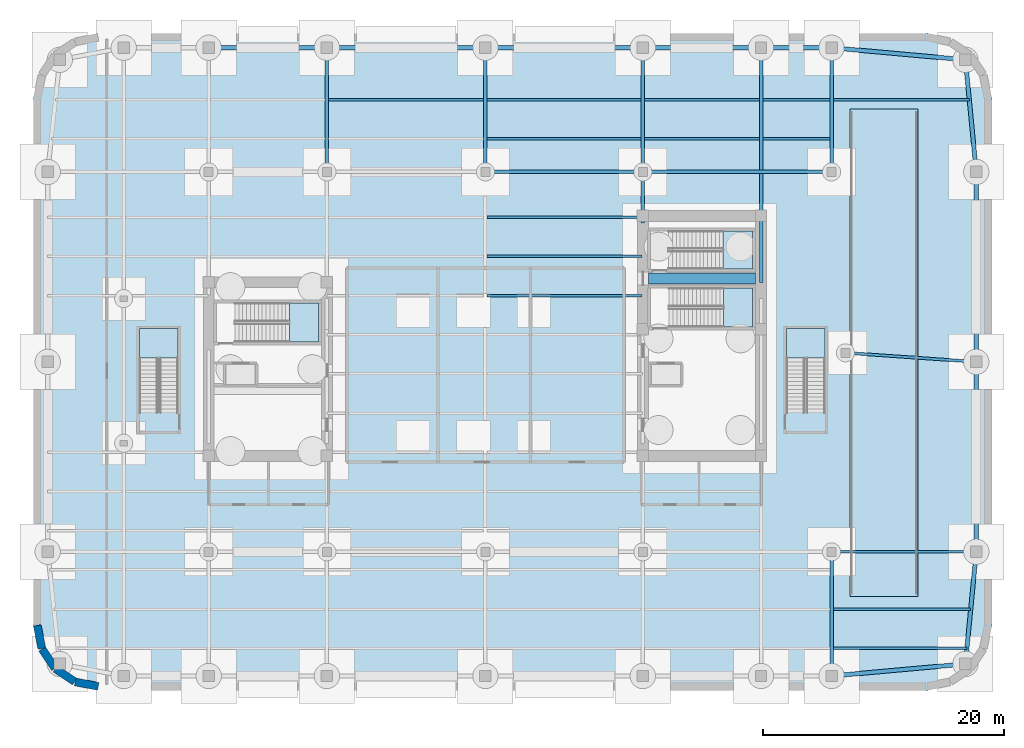
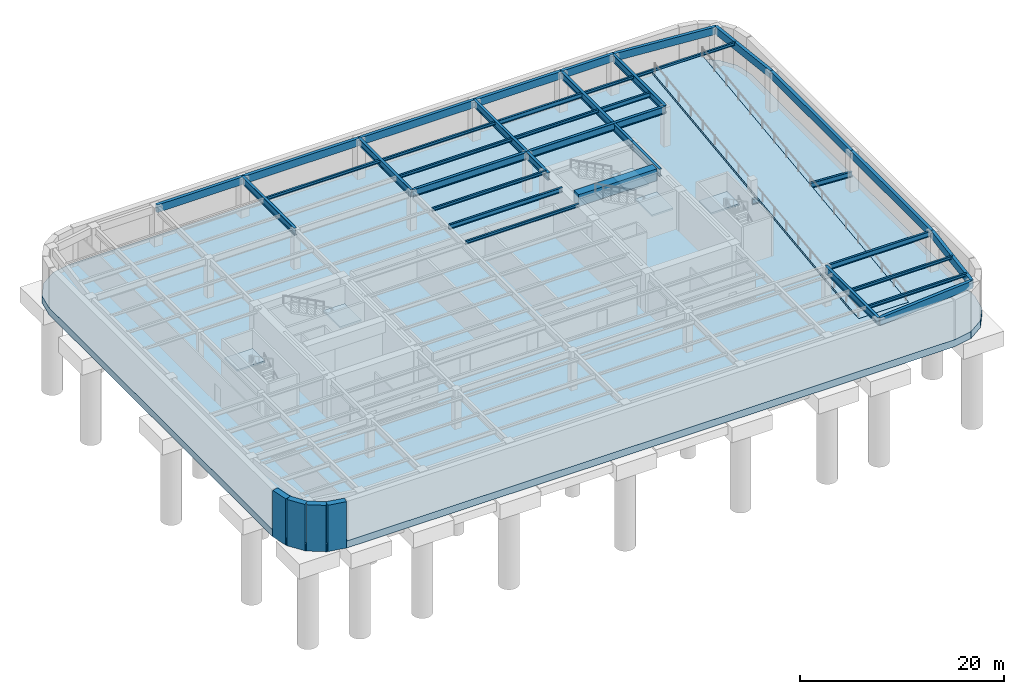
# One storey, part 4 of 14: 38 beams, 7 slabs, 4 walls, 5 elements without a shape of their own.
"""IFC4 building model written with IfcOpenShell, lengths in metres."""

from ifc_helpers import new_model, si_unit, direction, frame, frame_2d, origin, origin_2d, place, context, subcontext, project, spatial, polyline, rectangle, hollow_rectangle, i_section, outline, extrude, material, layer, layer_set, material_profile, profile_set, type_object, element, aggregate, save


model = new_model("IFC4")

# Units and contexts
model_context = context("Model", 3, precision=1e-05, world=origin(), true_north=direction((0.0, 1.0)))
body_context = subcontext(model_context, "Body", "Model", "MODEL_VIEW")
ifc_project = project(units=[si_unit("LENGTHUNIT", "METRE"), si_unit("AREAUNIT", "SQUARE_METRE"), si_unit("VOLUMEUNIT", "CUBIC_METRE"), si_unit("PLANEANGLEUNIT", "RADIAN"), si_unit("MASSUNIT", "GRAM", prefix="KILO")], contexts=[model_context])

# Site, building, storey
site_placement = place(None, origin())
site = spatial("IfcSite", under=ifc_project, at=site_placement, CompositionType="ELEMENT")
building_placement = place(site_placement, origin())
building = spatial("IfcBuilding", under=site, at=building_placement, Name="Kolvaren Arena Tower", CompositionType="ELEMENT")
storey_placement = place(building_placement, frame((0.0, 0.0, -10.0)))
storey = spatial("IfcBuildingStorey", under=building, at=storey_placement, Name="B02", CompositionType="ELEMENT", Elevation=-10.0)

# Beams
ifc_material_1 = material(Name="Steel CSA G40.21 350W", Category="steel")
ifc_material_profile_1 = material_profile(ifc_material_1, i_section(OverallWidth=0.2119140625, OverallDepth=0.54296875, WebThickness=0.01318359375, FlangeThickness=0.0244140625, FilletRadius=0.013916015625, at=origin_2d()), Name="W530x150")
ifc_profile_set_1 = profile_set([ifc_material_profile_1], Name="Steel CSA G40.21 350W")
beam_type_1 = type_object("IfcBeamType", Name="BEAM-F1", PredefinedType="BEAM", material=ifc_profile_set_1)
beam_1_placement = place(storey_placement, frame((37.64599609375, 36.0, 4.41845703125), z_axis=(1.0, 0.0, 0.0), x_axis=(0.0, 1.0, 0.0)))
element("IfcBeam", 1, at=beam_1_placement, inside=storey, type_object=beam_type_1, Name="Composite Floor Beam (B02)", PredefinedType="BEAM", context=body_context, shape_type="SweptSolid", body=[
    extrude(i_section(OverallWidth=0.2119140625, OverallDepth=0.54296875, WebThickness=0.01318359375, FlangeThickness=0.0244140625, FilletRadius=0.013916015625, at=origin_2d()), origin(), (0.0, 0.0, 1.0), 12.833984375),
])
beam_2_placement = place(storey_placement, frame((60.49609375, 45.75, 4.41845703125), z_axis=(1.0, 0.0, 0.0), x_axis=(0.0, 1.0, 0.0)))
element("IfcBeam", 2, at=beam_2_placement, inside=storey, type_object=beam_type_1, Name="Composite Floor Beam (B02)", PredefinedType="BEAM", context=body_context, shape_type="SweptSolid", body=[
    extrude(i_section(OverallWidth=0.2119140625, OverallDepth=0.54296875, WebThickness=0.01318359375, FlangeThickness=0.0244140625, FilletRadius=0.013916015625, at=origin_2d()), origin(), (0.0, 0.0, 1.0), 5.557861328125),
])
beam_3_placement = place(storey_placement, frame((50.696044921875, 49.0, 4.41845703125), z_axis=(1.0, 0.0, 0.0), x_axis=(0.0, 1.0, 0.0)))
element("IfcBeam", 3, at=beam_3_placement, inside=storey, type_object=beam_type_1, Name="Composite Floor Beam (B02)", PredefinedType="BEAM", context=body_context, shape_type="SweptSolid", body=[
    extrude(i_section(OverallWidth=0.2119140625, OverallDepth=0.54296875, WebThickness=0.01318359375, FlangeThickness=0.0244140625, FilletRadius=0.013916015625, at=origin_2d()), origin(), (0.0, 0.0, 1.0), 9.508056640625),
])
ifc_material_2 = material(Name="Concrete 75 MPa", Category="concrete")
ifc_material_profile_2 = material_profile(ifc_material_2, rectangle(XDim=0.89990234375, YDim=1.39990234375, at=origin_2d()), Name="RC-900x1400")
ifc_profile_set_2 = profile_set([ifc_material_profile_2], Name="Concrete 75 MPa")
beam_type_2 = type_object("IfcBeamType", Name="CB-CORE-1", PredefinedType="BEAM", material=ifc_profile_set_2)
beam_4_placement = place(storey_placement, frame((51.0, 34.14990234375, 4.260009765625), z_axis=(1.0, 0.0, 0.0), x_axis=(0.0, 1.0, 0.0)))
element("IfcBeam", 4, at=beam_4_placement, inside=storey, type_object=beam_type_2, Name="East Core Coupling Beam (B02)", PredefinedType="BEAM", context=body_context, shape_type="SweptSolid", body=[
    extrude(rectangle(XDim=0.89990234375, YDim=1.39990234375, at=origin_2d()), origin(), (0.0, 0.0, 1.0), 8.89990234375),
])
ifc_material_profile_3 = material_profile(ifc_material_1, i_section(OverallWidth=0.2919921875, OverallDepth=0.85498046875, WebThickness=0.02099609375, FlangeThickness=0.03564453125, FilletRadius=0.01806640625, at=origin_2d()), Name="W840x299")
ifc_profile_set_3 = profile_set([ifc_material_profile_3], Name="Steel CSA G40.21 350W")
beam_type_3 = type_object("IfcBeamType", Name="GIRD-P1", PredefinedType="BEAM", material=ifc_profile_set_3)
beam_5_placement = place(storey_placement, frame((37.5, 43.0, 4.262451171875), z_axis=(1.0, 0.0, 0.0), x_axis=(0.0, 1.0, 0.0)))
element("IfcBeam", 5, at=beam_5_placement, inside=storey, type_object=beam_type_3, Name="Primary Floor Girder (B02)", PredefinedType="BEAM", context=body_context, shape_type="SweptSolid", body=[
    extrude(i_section(OverallWidth=0.2919921875, OverallDepth=0.85498046875, WebThickness=0.02099609375, FlangeThickness=0.03564453125, FilletRadius=0.01806640625, at=origin_2d()), origin(), (0.0, 0.0, 1.0), 13.050048828125),
])
beam_6_placement = place(storey_placement, frame((50.550048828125, 43.0, 4.262451171875), z_axis=(1.0, 0.0, 0.0), x_axis=(0.0, 1.0, 0.0)))
element("IfcBeam", 6, at=beam_6_placement, inside=storey, type_object=beam_type_3, Name="Primary Floor Girder (B02)", PredefinedType="BEAM", context=body_context, shape_type="SweptSolid", body=[
    extrude(i_section(OverallWidth=0.2919921875, OverallDepth=0.85498046875, WebThickness=0.02099609375, FlangeThickness=0.03564453125, FilletRadius=0.01806640625, at=origin_2d()), origin(), (0.0, 0.0, 1.0), 15.64990234375),
])
for number, where, z_axis, x_axis, name in (
    (7, (24.35009765625, 43.0, 4.262451171875), (0.0, 1.0, 0.0), (-1.0, 0.0, 0.0), "Primary Floor Girder (B02)"),
    (8, (37.5, 43.0, 4.262451171875), (0.0, 1.0, 0.0), (-1.0, 0.0, 0.0), "Primary Floor Girder (B02)"),
):
    element("IfcBeam", number, at=place(storey_placement, frame(where, z_axis=z_axis, x_axis=x_axis)), inside=storey, type_object=beam_type_3, Name=name, PredefinedType="BEAM", context=body_context, shape_type="SweptSolid", body=[
        extrude(i_section(OverallWidth=0.2919921875, OverallDepth=0.85498046875, WebThickness=0.02099609375, FlangeThickness=0.03564453125, FilletRadius=0.01806640625, at=origin_2d()), origin(), (0.0, 0.0, 1.0), 10.300048828125),
    ])
beam_7_placement = place(storey_placement, frame((50.550048828125, 38.760009765625, 4.262451171875), z_axis=(0.0, 1.0, 0.0), x_axis=(-1.0, 0.0, 0.0)))
element("IfcBeam", 9, at=beam_7_placement, inside=storey, type_object=beam_type_3, Name="Primary Floor Girder (B02)", PredefinedType="BEAM", context=body_context, shape_type="SweptSolid", body=[
    extrude(i_section(OverallWidth=0.2919921875, OverallDepth=0.85498046875, WebThickness=0.02099609375, FlangeThickness=0.03564453125, FilletRadius=0.01806640625, at=origin_2d()), origin(), (0.0, 0.0, 1.0), 4.239990234375),
])
beam_8_placement = place(storey_placement, frame((50.550048828125, 43.0, 4.262451171875), z_axis=(0.0, 1.0, 0.0), x_axis=(-1.0, 0.0, 0.0)))
element("IfcBeam", 10, at=beam_8_placement, inside=storey, type_object=beam_type_3, Name="Primary Floor Girder (B02)", PredefinedType="BEAM", context=body_context, shape_type="SweptSolid", body=[
    extrude(i_section(OverallWidth=0.2919921875, OverallDepth=0.85498046875, WebThickness=0.02099609375, FlangeThickness=0.03564453125, FilletRadius=0.01806640625, at=origin_2d()), origin(), (0.0, 0.0, 1.0), 10.300048828125),
])
beam_9_placement = place(storey_placement, frame((60.35009765625, 33.85009765625, 4.262451171875), z_axis=(0.0, 1.0, 0.0), x_axis=(-1.0, 0.0, 0.0)))
element("IfcBeam", 11, at=beam_9_placement, inside=storey, type_object=beam_type_3, Name="Primary Floor Girder (B02)", PredefinedType="BEAM", context=body_context, shape_type="SweptSolid", body=[
    extrude(i_section(OverallWidth=0.2919921875, OverallDepth=0.85498046875, WebThickness=0.02099609375, FlangeThickness=0.03564453125, FilletRadius=0.01806640625, at=origin_2d()), origin(), (0.0, 0.0, 1.0), 5.5),
])
beam_10_placement = place(storey_placement, frame((60.35009765625, 39.35009765625, 4.262451171875), z_axis=(0.0, 1.0, 0.0), x_axis=(-1.0, 0.0, 0.0)))
element("IfcBeam", 12, at=beam_10_placement, inside=storey, type_object=beam_type_3, Name="Primary Floor Girder (B02)", PredefinedType="BEAM", context=body_context, shape_type="SweptSolid", body=[
    extrude(i_section(OverallWidth=0.2919921875, OverallDepth=0.85498046875, WebThickness=0.02099609375, FlangeThickness=0.03564453125, FilletRadius=0.01806640625, at=origin_2d()), origin(), (0.0, 0.0, 1.0), 3.50390625),
])
beam_11_placement = place(storey_placement, frame((60.35009765625, 43.14599609375, 4.262451171875), z_axis=(0.0, 1.0, 0.0), x_axis=(-1.0, 0.0, 0.0)))
element("IfcBeam", 13, at=beam_11_placement, inside=storey, type_object=beam_type_3, Name="Primary Floor Girder (B02)", PredefinedType="BEAM", context=body_context, shape_type="SweptSolid", body=[
    extrude(i_section(OverallWidth=0.2919921875, OverallDepth=0.85498046875, WebThickness=0.02099609375, FlangeThickness=0.03564453125, FilletRadius=0.01806640625, at=origin_2d()), origin(), (0.0, 0.0, 1.0), 10.154052734375),
])
for number, where, z_axis, x_axis, name in (
    (14, (66.199951171875, 1.199951171875, 4.262451171875), (0.0, 1.0, 0.0), (-1.0, 0.0, 0.0), "Primary Floor Girder (B02)"),
    (15, (66.199951171875, 43.0, 4.262451171875), (0.0, 1.0, 0.0), (-1.0, 0.0, 0.0), "Primary Floor Girder (B02)"),
):
    element("IfcBeam", number, at=place(storey_placement, frame(where, z_axis=z_axis, x_axis=x_axis)), inside=storey, type_object=beam_type_3, Name=name, PredefinedType="BEAM", context=body_context, shape_type="SweptSolid", body=[
        extrude(i_section(OverallWidth=0.2919921875, OverallDepth=0.85498046875, WebThickness=0.02099609375, FlangeThickness=0.03564453125, FilletRadius=0.01806640625, at=origin_2d()), origin(), (0.0, 0.0, 1.0), 10.300048828125),
    ])
ifc_material_profile_4 = material_profile(ifc_material_1, i_section(OverallWidth=0.22802734375, OverallDepth=0.615966796875, WebThickness=0.013916015625, FlangeThickness=0.02490234375, FilletRadius=0.014892578125, at=origin_2d()), Name="W610x174")
ifc_profile_set_4 = profile_set([ifc_material_profile_4], Name="Steel CSA G40.21 350W")
beam_type_4 = type_object("IfcBeamType", Name="GIRD-T3", PredefinedType="BEAM", material=ifc_profile_set_4)
beam_12_placement = place(storey_placement, frame((67.35009765625, 28.0, 1.882080078125), z_axis=(0.997619370654, -0.068960795361, 0.0), x_axis=(0.068960795361, 0.997619370654, 0.0)))
element("IfcBeam", 16, at=beam_12_placement, inside=storey, type_object=beam_type_4, Name="Vehicle Ramp Mid-Span Support Beam (B02)", PredefinedType="BEAM", context=body_context, shape_type="SweptSolid", body=[
    extrude(i_section(OverallWidth=0.22802734375, OverallDepth=0.615966796875, WebThickness=0.013916015625, FlangeThickness=0.02490234375, FilletRadius=0.014892578125, at=origin_2d()), origin(), (0.0, 0.0, 1.0), 10.875732421875),
])
beam_13_placement = place(storey_placement, frame((66.199951171875, 11.5, 4.376953125), z_axis=(1.0, 0.0, 0.0), x_axis=(0.0, 1.0, 0.0)))
element("IfcBeam", 17, at=beam_13_placement, inside=storey, type_object=beam_type_4, Name="Vehicle Ramp Landing Support Beam (B01)", PredefinedType="BEAM", context=body_context, shape_type="SweptSolid", body=[
    extrude(i_section(OverallWidth=0.22802734375, OverallDepth=0.615966796875, WebThickness=0.013916015625, FlangeThickness=0.02490234375, FilletRadius=0.014892578125, at=origin_2d()), origin(), (0.0, 0.0, 1.0), 12.0),
])
ifc_material_profile_5 = material_profile(ifc_material_1, i_section(OverallWidth=0.202880859375, OverallDepth=0.346923828125, WebThickness=0.0078125, FlangeThickness=0.013427734375, FilletRadius=0.010986328125, at=origin_2d()), Name="W360x64")
ifc_profile_set_5 = profile_set([ifc_material_profile_5], Name="Steel CSA G40.21 350W")
beam_type_5 = type_object("IfcBeamType", Name="JOIST-01", PredefinedType="JOIST", material=ifc_profile_set_5)
beam_14_placement = place(storey_placement, frame((66.345947265625, 3.5, 4.5166015625), z_axis=(1.0, 0.0, 0.0), x_axis=(0.0, 1.0, 0.0)))
element("IfcBeam", 18, at=beam_14_placement, inside=storey, type_object=beam_type_5, Name="Composite Floor Joist (B02)", PredefinedType="JOIST", context=body_context, shape_type="SweptSolid", body=[
    extrude(i_section(OverallWidth=0.202880859375, OverallDepth=0.346923828125, WebThickness=0.0078125, FlangeThickness=0.013427734375, FilletRadius=0.010986328125, at=origin_2d()), origin(), (0.0, 0.0, 1.0), 11.079833984375),
])
beam_15_placement = place(storey_placement, frame((66.345947265625, 6.75, 4.5166015625), z_axis=(1.0, 0.0, 0.0), x_axis=(0.0, 1.0, 0.0)))
element("IfcBeam", 19, at=beam_15_placement, inside=storey, type_object=beam_type_5, Name="Composite Floor Joist (B02)", PredefinedType="JOIST", context=body_context, shape_type="SweptSolid", body=[
    extrude(i_section(OverallWidth=0.202880859375, OverallDepth=0.346923828125, WebThickness=0.0078125, FlangeThickness=0.013427734375, FilletRadius=0.010986328125, at=origin_2d()), origin(), (0.0, 0.0, 1.0), 11.394287109375),
])
beam_16_placement = place(storey_placement, frame((37.64599609375, 32.75, 4.5166015625), z_axis=(1.0, 0.0, 0.0), x_axis=(0.0, 1.0, 0.0)))
element("IfcBeam", 20, at=beam_16_placement, inside=storey, type_object=beam_type_5, Name="Composite Floor Joist (B02)", PredefinedType="JOIST", context=body_context, shape_type="SweptSolid", body=[
    extrude(i_section(OverallWidth=0.202880859375, OverallDepth=0.346923828125, WebThickness=0.0078125, FlangeThickness=0.013427734375, FilletRadius=0.010986328125, at=origin_2d()), origin(), (0.0, 0.0, 1.0), 12.833984375),
])
beam_17_placement = place(storey_placement, frame((37.64599609375, 39.25, 4.5166015625), z_axis=(1.0, 0.0, 0.0), x_axis=(0.0, 1.0, 0.0)))
element("IfcBeam", 21, at=beam_17_placement, inside=storey, type_object=beam_type_5, Name="Composite Floor Joist (B02)", PredefinedType="JOIST", context=body_context, shape_type="SweptSolid", body=[
    extrude(i_section(OverallWidth=0.202880859375, OverallDepth=0.346923828125, WebThickness=0.0078125, FlangeThickness=0.013427734375, FilletRadius=0.010986328125, at=origin_2d()), origin(), (0.0, 0.0, 1.0), 12.884033203125),
])
beam_18_placement = place(storey_placement, frame((37.64599609375, 45.75, 4.5166015625), z_axis=(1.0, 0.0, 0.0), x_axis=(0.0, 1.0, 0.0)))
element("IfcBeam", 22, at=beam_18_placement, inside=storey, type_object=beam_type_5, Name="Composite Floor Joist (B02)", PredefinedType="JOIST", context=body_context, shape_type="SweptSolid", body=[
    extrude(i_section(OverallWidth=0.202880859375, OverallDepth=0.346923828125, WebThickness=0.0078125, FlangeThickness=0.013427734375, FilletRadius=0.010986328125, at=origin_2d()), origin(), (0.0, 0.0, 1.0), 12.758056640625),
])
beam_19_placement = place(storey_placement, frame((50.696044921875, 45.75, 4.5166015625), z_axis=(1.0, 0.0, 0.0), x_axis=(0.0, 1.0, 0.0)))
element("IfcBeam", 23, at=beam_19_placement, inside=storey, type_object=beam_type_5, Name="Composite Floor Joist (B02)", PredefinedType="JOIST", context=body_context, shape_type="SweptSolid", body=[
    extrude(i_section(OverallWidth=0.202880859375, OverallDepth=0.346923828125, WebThickness=0.0078125, FlangeThickness=0.013427734375, FilletRadius=0.010986328125, at=origin_2d()), origin(), (0.0, 0.0, 1.0), 9.508056640625),
])
beam_20_placement = place(storey_placement, frame((24.49609375, 49.0, 4.5166015625), z_axis=(1.0, 0.0, 0.0), x_axis=(0.0, 1.0, 0.0)))
element("IfcBeam", 24, at=beam_20_placement, inside=storey, type_object=beam_type_5, Name="Composite Floor Joist (B02)", PredefinedType="JOIST", context=body_context, shape_type="SweptSolid", body=[
    extrude(i_section(OverallWidth=0.202880859375, OverallDepth=0.346923828125, WebThickness=0.0078125, FlangeThickness=0.013427734375, FilletRadius=0.010986328125, at=origin_2d()), origin(), (0.0, 0.0, 1.0), 12.85791015625),
])
beam_21_placement = place(storey_placement, frame((37.64599609375, 49.0, 4.5166015625), z_axis=(1.0, 0.0, 0.0), x_axis=(0.0, 1.0, 0.0)))
element("IfcBeam", 25, at=beam_21_placement, inside=storey, type_object=beam_type_5, Name="Composite Floor Joist (B02)", PredefinedType="JOIST", context=body_context, shape_type="SweptSolid", body=[
    extrude(i_section(OverallWidth=0.202880859375, OverallDepth=0.346923828125, WebThickness=0.0078125, FlangeThickness=0.013427734375, FilletRadius=0.010986328125, at=origin_2d()), origin(), (0.0, 0.0, 1.0), 12.758056640625),
])
beam_22_placement = place(storey_placement, frame((60.49609375, 49.0, 4.5166015625), z_axis=(1.0, 0.0, 0.0), x_axis=(0.0, 1.0, 0.0)))
element("IfcBeam", 26, at=beam_22_placement, inside=storey, type_object=beam_type_5, Name="Composite Floor Joist (B02)", PredefinedType="JOIST", context=body_context, shape_type="SweptSolid", body=[
    extrude(i_section(OverallWidth=0.202880859375, OverallDepth=0.346923828125, WebThickness=0.0078125, FlangeThickness=0.013427734375, FilletRadius=0.010986328125, at=origin_2d()), origin(), (0.0, 0.0, 1.0), 5.557861328125),
])
beam_23_placement = place(storey_placement, frame((66.345947265625, 49.0, 4.5166015625), z_axis=(1.0, 0.0, 0.0), x_axis=(0.0, 1.0, 0.0)))
element("IfcBeam", 27, at=beam_23_placement, inside=storey, type_object=beam_type_5, Name="Composite Floor Joist (B02)", PredefinedType="JOIST", context=body_context, shape_type="SweptSolid", body=[
    extrude(i_section(OverallWidth=0.202880859375, OverallDepth=0.346923828125, WebThickness=0.0078125, FlangeThickness=0.013427734375, FilletRadius=0.010986328125, at=origin_2d()), origin(), (0.0, 0.0, 1.0), 11.2734375),
])
ifc_material_3 = material(Name="Steel CSA G40.21 350WT", Category="steel")
ifc_material_profile_6 = material_profile(ifc_material_3, hollow_rectangle(XDim=0.35009765625, YDim=0.89990234375, WallThickness=0.02001953125, at=origin_2d()), Name="HSS 900x350x20")
ifc_profile_set_6 = profile_set([ifc_material_profile_6], Name="Steel CSA G40.21 350WT")
beam_type_6 = type_object("IfcBeamType", Name="SPAND-01", PredefinedType="SPANDREL", material=ifc_profile_set_6)
beam_24_placement = place(storey_placement, frame((66.199951171875, 1.199951171875, 4.239990234375), z_axis=(0.995966494892, 0.089725921855, 0.0), x_axis=(-0.089725921855, 0.995966494892, 0.0)))
element("IfcBeam", 28, at=beam_24_placement, inside=storey, type_object=beam_type_6, Name="Perimeter Spandrel Beam (B02)", PredefinedType="SPANDREL", context=body_context, shape_type="SweptSolid", body=[
    extrude(hollow_rectangle(XDim=0.35009765625, YDim=0.89990234375, WallThickness=0.02001953125, at=origin_2d()), origin(), (0.0, 0.0, 1.0), 11.14501953125),
])
beam_25_placement = place(storey_placement, frame((77.300048828125, 2.199951171875, 4.239990234375), z_axis=(0.09631333899, 0.995351064064, 0.0), x_axis=(-0.995351064064, 0.09631333899, 0.0)))
element("IfcBeam", 29, at=beam_25_placement, inside=storey, type_object=beam_type_6, Name="Perimeter Spandrel Beam (B02)", PredefinedType="SPANDREL", context=body_context, shape_type="SweptSolid", body=[
    extrude(hollow_rectangle(XDim=0.35009765625, YDim=0.89990234375, WallThickness=0.02001953125, at=origin_2d()), origin(), (0.0, 0.0, 1.0), 9.343505859375),
])
for number, where, z_axis, x_axis, name in (
    (30, (78.199951171875, 11.5, 4.239990234375), (0.0, 1.0, 0.0), (-1.0, 0.0, 0.0), "Perimeter Spandrel Beam (B02)"),
    (31, (78.199951171875, 27.25, 4.239990234375), (0.0, 1.0, 0.0), (-1.0, 0.0, 0.0), "Perimeter Spandrel Beam (B02)"),
):
    element("IfcBeam", number, at=place(storey_placement, frame(where, z_axis=z_axis, x_axis=x_axis)), inside=storey, type_object=beam_type_6, Name=name, PredefinedType="SPANDREL", context=body_context, shape_type="SweptSolid", body=[
        extrude(hollow_rectangle(XDim=0.35009765625, YDim=0.89990234375, WallThickness=0.02001953125, at=origin_2d()), origin(), (0.0, 0.0, 1.0), 15.75),
    ])
beam_26_placement = place(storey_placement, frame((78.199951171875, 43.0, 4.239990234375), z_axis=(-0.09631333899, 0.995351064064, 0.0), x_axis=(-0.995351064064, -0.09631333899, 0.0)))
element("IfcBeam", 32, at=beam_26_placement, inside=storey, type_object=beam_type_6, Name="Perimeter Spandrel Beam (B02)", PredefinedType="SPANDREL", context=body_context, shape_type="SweptSolid", body=[
    extrude(hollow_rectangle(XDim=0.35009765625, YDim=0.89990234375, WallThickness=0.02001953125, at=origin_2d()), origin(), (0.0, 0.0, 1.0), 9.343505859375),
])
beam_27_placement = place(storey_placement, frame((77.300048828125, 52.300048828125, 4.239990234375), z_axis=(-0.995966494892, 0.089725921855, 0.0), x_axis=(-0.089725921855, -0.995966494892, 0.0)))
element("IfcBeam", 33, at=beam_27_placement, inside=storey, type_object=beam_type_6, Name="Perimeter Spandrel Beam (B02)", PredefinedType="SPANDREL", context=body_context, shape_type="SweptSolid", body=[
    extrude(hollow_rectangle(XDim=0.35009765625, YDim=0.89990234375, WallThickness=0.02001953125, at=origin_2d()), origin(), (0.0, 0.0, 1.0), 11.14501953125),
])
beam_28_placement = place(storey_placement, frame((66.199951171875, 53.300048828125, 4.239990234375), z_axis=(-1.0, 0.0, 0.0), x_axis=(0.0, -1.0, 0.0)))
element("IfcBeam", 34, at=beam_28_placement, inside=storey, type_object=beam_type_6, Name="Perimeter Spandrel Beam (B02)", PredefinedType="SPANDREL", context=body_context, shape_type="SweptSolid", body=[
    extrude(hollow_rectangle(XDim=0.35009765625, YDim=0.89990234375, WallThickness=0.02001953125, at=origin_2d()), origin(), (0.0, 0.0, 1.0), 5.849853515625),
])
beam_29_placement = place(storey_placement, frame((60.35009765625, 53.300048828125, 4.239990234375), z_axis=(-1.0, 0.0, 0.0), x_axis=(0.0, -1.0, 0.0)))
element("IfcBeam", 35, at=beam_29_placement, inside=storey, type_object=beam_type_6, Name="Perimeter Spandrel Beam (B02)", PredefinedType="SPANDREL", context=body_context, shape_type="SweptSolid", body=[
    extrude(hollow_rectangle(XDim=0.35009765625, YDim=0.89990234375, WallThickness=0.02001953125, at=origin_2d()), origin(), (0.0, 0.0, 1.0), 9.800048828125),
])
beam_30_placement = place(storey_placement, frame((50.550048828125, 53.300048828125, 4.239990234375), z_axis=(-1.0, 0.0, 0.0), x_axis=(0.0, -1.0, 0.0)))
element("IfcBeam", 36, at=beam_30_placement, inside=storey, type_object=beam_type_6, Name="Perimeter Spandrel Beam (B02)", PredefinedType="SPANDREL", context=body_context, shape_type="SweptSolid", body=[
    extrude(hollow_rectangle(XDim=0.35009765625, YDim=0.89990234375, WallThickness=0.02001953125, at=origin_2d()), origin(), (0.0, 0.0, 1.0), 13.050048828125),
])
beam_31_placement = place(storey_placement, frame((37.5, 53.300048828125, 4.239990234375), z_axis=(-1.0, 0.0, 0.0), x_axis=(0.0, -1.0, 0.0)))
element("IfcBeam", 37, at=beam_31_placement, inside=storey, type_object=beam_type_6, Name="Perimeter Spandrel Beam (B02)", PredefinedType="SPANDREL", context=body_context, shape_type="SweptSolid", body=[
    extrude(hollow_rectangle(XDim=0.35009765625, YDim=0.89990234375, WallThickness=0.02001953125, at=origin_2d()), origin(), (0.0, 0.0, 1.0), 13.14990234375),
])
beam_32_placement = place(storey_placement, frame((24.35009765625, 53.300048828125, 4.239990234375), z_axis=(-1.0, 0.0, 0.0), x_axis=(0.0, -1.0, 0.0)))
element("IfcBeam", 38, at=beam_32_placement, inside=storey, type_object=beam_type_6, Name="Perimeter Spandrel Beam (B02)", PredefinedType="SPANDREL", context=body_context, shape_type="SweptSolid", body=[
    extrude(hollow_rectangle(XDim=0.35009765625, YDim=0.89990234375, WallThickness=0.02001953125, at=origin_2d()), origin(), (0.0, 0.0, 1.0), 9.800048828125),
])

# Slab
ifc_material_4 = material(Name="Concrete 50 MPa", Category="concrete")
ifc_layer_1 = layer(ifc_material_4, 0.85009765625)
ifc_layer_set_1 = layer_set([ifc_layer_1], Name="Concrete 50 MPa")
slab_type_1 = type_object("IfcSlabType", Name="SLAB-BASE", PredefinedType="BASESLAB", material=ifc_layer_set_1)
slab_1_placement = place(storey_placement, frame((0.0, 0.0, -0.85009765625)))
element("IfcSlab", 39, at=slab_1_placement, inside=storey, type_object=slab_type_1, Name="B02 Primary Structural Slab", PredefinedType="BASESLAB", context=body_context, shape_type="SweptSolid", body=[
    extrude(outline(polyline([(74.10009765625, 0.0), (76.16650390625, 0.4111328125), (77.91845703125, 1.58154296875), (79.0888671875, 3.33349609375), (79.5, 5.39990234375), (79.5, 49.10009765625), (79.0888671875, 51.16650390625), (77.91845703125, 52.91845703125), (76.16650390625, 54.0888671875), (74.10009765625, 54.5), (5.39990234375, 54.5), (3.33349609375, 54.0888671875), (1.58154296875, 52.91845703125), (0.4111328125, 51.16650390625), (0.0, 49.10009765625), (0.0, 5.39990234375), (0.4111328125, 3.33349609375), (1.58154296875, 1.58154296875), (3.33349609375, 0.4111328125), (5.39990234375, 0.0), (74.10009765625, 0.0)])), origin(), (0.0, 0.0, 1.0), 0.85009765625),
])

# Stair, slab
ifc_material_5 = material(Name="Concrete 45 MPa", Category="concrete")
stair_type_1 = type_object("IfcStairType", Name="STAIR-CORE-165", PredefinedType="HALF_TURN_STAIR", material=ifc_material_5)
stair_1_placement = place(storey_placement, origin())
stair_1 = element("IfcStair", 40, at=stair_1_placement, inside=storey, type_object=stair_type_1, Name="B02 ST-W1", PredefinedType="HALF_TURN_STAIR")
ifc_layer_2 = layer(ifc_material_5, 0.199951171875)
ifc_layer_set_2 = layer_set([ifc_layer_2], Name="Concrete 45 MPa")
slab_type_2 = type_object("IfcSlabType", Name="SLAB-LAND", PredefinedType="LANDING", material=ifc_layer_set_2)
slab_2_placement = place(storey_placement, frame((0.0, 0.0, 2.300048828125)))
slab_2 = element("IfcSlab", 41, at=slab_2_placement, type_object=slab_type_2, Name="ST-W1 landing 1", PredefinedType="LANDING", context=body_context, shape_type="SweptSolid", body=[
    extrude(outline(polyline([(21.256103515625, 28.89990234375), (23.659912109375, 28.89990234375), (23.659912109375, 32.1298828125), (21.256103515625, 32.1298828125), (21.256103515625, 28.89990234375)])), origin(), (0.0, 0.0, 1.0), 0.199951171875),
])
aggregate(stair_1, [slab_2])

stair_2_placement = place(storey_placement, origin())
stair_2 = element("IfcStair", 42, at=stair_2_placement, inside=storey, type_object=stair_type_1, Name="B02 ST-E1", PredefinedType="HALF_TURN_STAIR")
slab_3_placement = place(storey_placement, frame((0.0, 0.0, 2.300048828125)))
slab_3 = element("IfcSlab", 43, at=slab_3_placement, type_object=slab_type_2, Name="ST-E1 landing 1", PredefinedType="LANDING", context=body_context, shape_type="SweptSolid", body=[
    extrude(outline(polyline([(57.256103515625, 30.14990234375), (59.659912109375, 30.14990234375), (59.659912109375, 33.3798828125), (57.256103515625, 33.3798828125), (57.256103515625, 30.14990234375)])), origin(), (0.0, 0.0, 1.0), 0.199951171875),
])
aggregate(stair_2, [slab_3])

stair_type_2 = type_object("IfcStairType", Name="STAIR-CORE-150", PredefinedType="HALF_TURN_STAIR", material=ifc_material_5)
stair_3_placement = place(storey_placement, origin())
stair_3 = element("IfcStair", 44, at=stair_3_placement, inside=storey, type_object=stair_type_2, Name="B02 ST-E2", PredefinedType="HALF_TURN_STAIR")
slab_4_placement = place(storey_placement, frame((0.0, 0.0, 2.300048828125)))
slab_4 = element("IfcSlab", 45, at=slab_4_placement, type_object=slab_type_2, Name="ST-E2 landing 1", PredefinedType="LANDING", context=body_context, shape_type="SweptSolid", body=[
    extrude(outline(polyline([(57.216064453125, 34.949951171875), (59.659912109375, 34.949951171875), (59.659912109375, 38.10009765625), (57.216064453125, 38.10009765625), (57.216064453125, 34.949951171875)])), origin(), (0.0, 0.0, 1.0), 0.199951171875),
])
aggregate(stair_3, [slab_4])

stair_type_3 = type_object("IfcStairType", Name="STAIR-BSMT-140", PredefinedType="HALF_TURN_STAIR", material=ifc_material_5)
stair_4_placement = place(storey_placement, origin())
stair_4 = element("IfcStair", 46, at=stair_4_placement, inside=storey, type_object=stair_type_3, Name="B02 ST-B1", PredefinedType="HALF_TURN_STAIR")
slab_5_placement = place(storey_placement, frame((0.0, 0.0, 2.300048828125)))
slab_5 = element("IfcSlab", 47, at=slab_5_placement, type_object=slab_type_2, Name="ST-B1 landing 1", PredefinedType="LANDING", context=body_context, shape_type="SweptSolid", body=[
    extrude(outline(polyline([(12.0, 27.555908203125), (12.0, 30.0), (8.81005859375, 30.0), (8.81005859375, 27.555908203125), (12.0, 27.555908203125)])), origin(), (0.0, 0.0, 1.0), 0.199951171875),
])
aggregate(stair_4, [slab_5])

stair_5_placement = place(storey_placement, origin())
stair_5 = element("IfcStair", 48, at=stair_5_placement, inside=storey, type_object=stair_type_3, Name="B02 ST-B2", PredefinedType="HALF_TURN_STAIR")
slab_6_placement = place(storey_placement, frame((0.0, 0.0, 2.300048828125)))
slab_6 = element("IfcSlab", 49, at=slab_6_placement, type_object=slab_type_2, Name="ST-B2 landing 1", PredefinedType="LANDING", context=body_context, shape_type="SweptSolid", body=[
    extrude(outline(polyline([(65.64990234375, 27.555908203125), (65.64990234375, 30.0), (62.4599609375, 30.0), (62.4599609375, 27.555908203125), (65.64990234375, 27.555908203125)])), origin(), (0.0, 0.0, 1.0), 0.199951171875),
])
aggregate(stair_5, [slab_6])

# Slab
ifc_material_6 = material(Name="Concrete C40/50", Category="concrete")
ifc_layer_3 = layer(ifc_material_6, 0.25)
ifc_layer_set_3 = layer_set([ifc_layer_3], Name="Concrete C40/50")
slab_type_3 = type_object("IfcSlabType", Name="SLAB-VRAMP", PredefinedType="FLOOR", material=ifc_layer_set_3)
slab_7_placement = place(storey_placement, frame((67.72998046875, 7.800048828125, 0.0), z_axis=(0.0, -0.122825578228, 0.992428273143), x_axis=(1.0, 0.0, 0.0)))
element("IfcSlab", 50, at=slab_7_placement, inside=storey, type_object=slab_type_3, Name="Basement Car Park Vehicle Ramp Slab VR-B02-B01", PredefinedType="FLOOR", context=body_context, shape_type="SweptSolid", body=[
    extrude(outline(polyline([(0.0, 0.0), (5.64013671875, 0.0), (5.64013671875, 40.70813320928063), (0.0, 40.70813320928063), (0.0, 0.0)])), origin(), (0.0, 0.0, -1.0), 0.25),
])

# Walls
ifc_layer_4 = layer(ifc_material_4, 0.64990234375)
ifc_layer_set_4 = layer_set([ifc_layer_4], Name="Concrete 50 MPa")
wall_type = type_object("IfcWallType", Name="RWALL-650", PredefinedType="USERDEFINED", material=ifc_layer_set_4)
for number, where, z_axis, x_axis, name in (
    (51, (0.71337890625, 3.480224609375, -0.85009765625), (0.0, 0.0, 1.0), (-0.19524343944, 0.980754811029, 0.0), "Basement Perimeter Retaining Wall (B02)"),
    (52, (1.8046875, 1.832763671875, -0.85009765625), (0.0, 0.0, 1.0), (-0.555572457191, 0.831468126154, 0.0), "Basement Perimeter Retaining Wall (B02)"),
    (53, (3.443359375, 0.728515625, -0.85009765625), (0.0, 0.0, 1.0), (-0.831468126154, 0.555572457191, 0.0), "Basement Perimeter Retaining Wall (B02)"),
    (54, (5.3798828125, 0.335205078125, -0.85009765625), (0.0, 0.0, 1.0), (-0.980754811029, 0.19524343944, 0.0), "Basement Perimeter Retaining Wall (B02)"),
):
    element("IfcWall", number, at=place(storey_placement, frame(where, z_axis=z_axis, x_axis=x_axis)), inside=storey, type_object=wall_type, Name=name, ObjectType="RETAININGWALL", PredefinedType="USERDEFINED", context=body_context, shape_type="SweptSolid", body=[
        extrude(rectangle(XDim=1.93701171875, YDim=0.64990234375, at=frame_2d((0.968505859375, 0.0))), origin(), (0.0, 0.0, 1.0), 5.5400390625),
    ])

save(model, "model.ifc")
